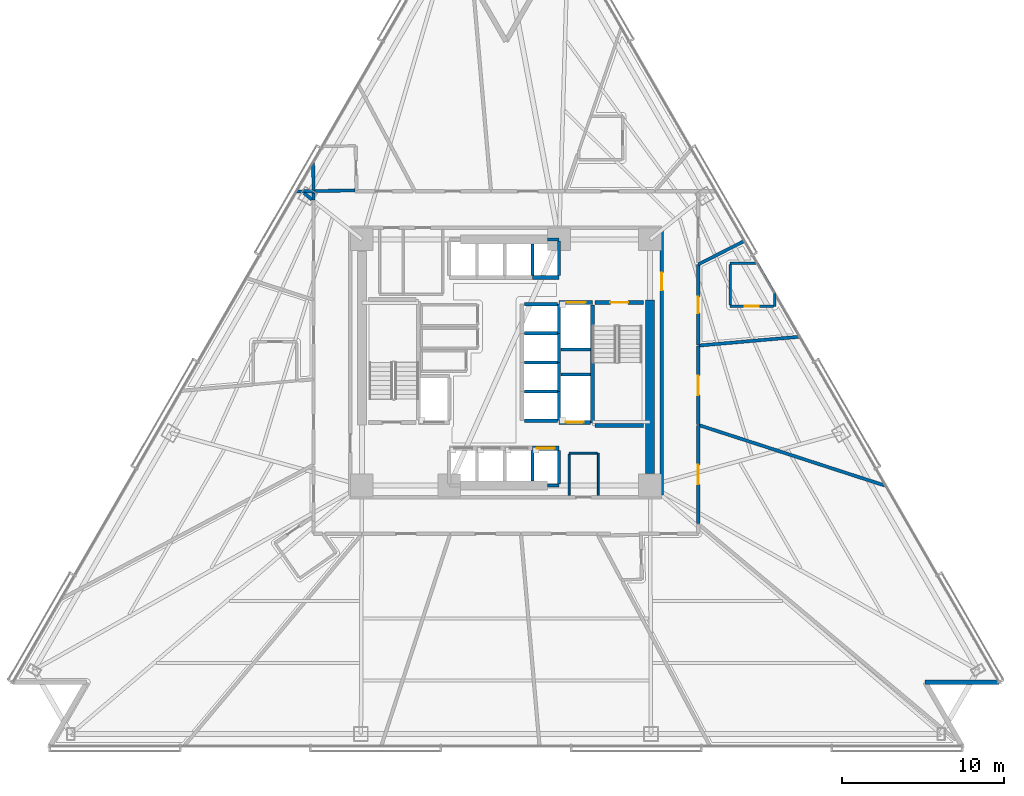
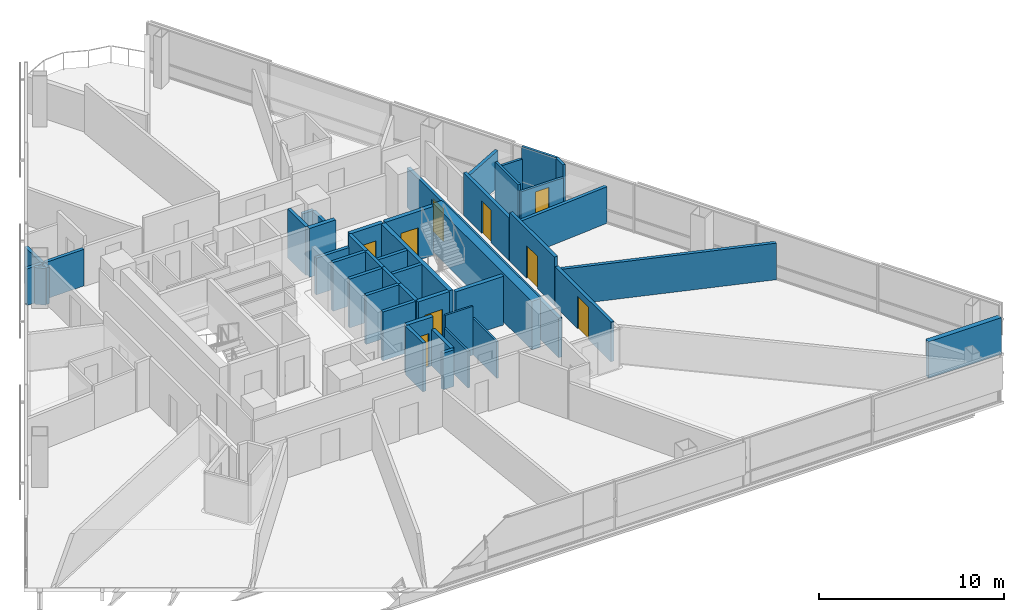
# One storey, part 9 of 18: 45 walls, 9 doors, 9 openings.
"""IFC4 building model written with IfcOpenShell, lengths in metres."""

from ifc_helpers import new_model, si_unit, direction, frame, frame_2d, origin, place, context, subcontext, project, spatial, rectangle, extrude, material, layer, layer_set, type_object, element, fill, save


model = new_model("IFC4")

# Units and contexts
model_context = context("Model", 3, precision=1e-05, world=origin(), true_north=direction((0.0, 1.0)))
body_context = subcontext(model_context, "Body", "Model", "MODEL_VIEW")
ifc_project = project(units=[si_unit("LENGTHUNIT", "METRE"), si_unit("AREAUNIT", "SQUARE_METRE"), si_unit("VOLUMEUNIT", "CUBIC_METRE"), si_unit("PLANEANGLEUNIT", "RADIAN"), si_unit("MASSUNIT", "GRAM", prefix="KILO")], contexts=[model_context])

# Site, building, storey
site_placement = place(None, origin())
site = spatial("IfcSite", under=ifc_project, at=site_placement, CompositionType="ELEMENT")
building_placement = place(site_placement, origin())
building = spatial("IfcBuilding", under=site, at=building_placement, Name="Tharavind Bronze Gate", CompositionType="ELEMENT")
storey_placement = place(building_placement, frame((0.0, 0.0, 38.64990234375)))
storey = spatial("IfcBuildingStorey", under=building, at=storey_placement, Name="L08", CompositionType="ELEMENT", Elevation=38.64990234375)

# Wall
ifc_material_1 = material(Name="Concrete C40/50", Category="concrete")
ifc_layer_1 = layer(ifc_material_1, 0.300048828125)
ifc_layer_set_1 = layer_set([ifc_layer_1], Name="Concrete C40/50")
wall_type_1 = type_object("IfcWallType", Name="EXTERIOR SPANDREL WALL 300", PredefinedType="STANDARD", material=ifc_layer_set_1)
wall_1_placement = place(storey_placement, frame((25.895751953125, -19.7509765625, 0.0), z_axis=(0.0, 0.0, 1.0), x_axis=(1.0, 0.0, 0.0)))
element("IfcWall", 1, at=wall_1_placement, inside=storey, type_object=wall_type_1, Name="L08 notch cheek wall 3B", PredefinedType="STANDARD", context=body_context, shape_type="SweptSolid", body=[
    extrude(rectangle(XDim=4.56005859375, YDim=0.300048828125, at=frame_2d((2.280029296875, 0.0))), origin(), (0.0, 0.0, 1.0), 2.420166015625),
])

# Wall, opening, door
ifc_material_2 = material(Name="Aerated Concrete Block", Category="concrete")
ifc_layer_2 = layer(ifc_material_2, 0.199951171875)
ifc_layer_set_2 = layer_set([ifc_layer_2], Name="Aerated Concrete Block")
wall_type_2 = type_object("IfcWallType", Name="FIRE RATED PARTITION 200", PredefinedType="PARTITIONING", material=ifc_layer_set_2)
wall_2_placement = place(storey_placement, frame((9.6201171875, -8.199951171875, 0.0), z_axis=(0.0, 0.0, 1.0), x_axis=(0.0, 1.0, 0.0)))
wall_2 = element("IfcWall", 2, at=wall_2_placement, inside=storey, type_object=wall_type_2, Name="L08 east core corridor wall", PredefinedType="PARTITIONING", context=body_context, shape_type="SweptSolid", body=[
    extrude(rectangle(XDim=16.39990234375, YDim=0.199951171875, at=frame_2d((8.199951171875, 0.0))), origin(), (0.0, 0.0, 1.0), 2.6201171875),
])
opening_1_placement = place(wall_2_placement, frame((12.64990234375, 0.0, 0.0)))
opening_1 = element("IfcOpeningElement", 3, at=opening_1_placement, cuts=wall_2, Name="Opening ID01", PredefinedType="OPENING", context=body_context, shape_type="SweptSolid", body=[
    extrude(rectangle(XDim=1.10009765625, YDim=2.14990234375, at=frame_2d((0.550048828125, 1.074951171875))), frame((0.0, 0.11009765625, 0.0), z_axis=(0.0, -1.0, 0.0), x_axis=(1.0, 0.0, 0.0)), (0.0, 0.0, 1.0), 0.219951171875),
])
ifc_material_3 = material(Name="Fire-Rated Steel", Category="steel")
door_type_1 = type_object("IfcDoorType", Name="STAIR CORE FIRE DOOR 1100X2150", OperationType="SINGLE_SWING_LEFT", PredefinedType="DOOR", material=ifc_material_3)
door_1_placement = place(opening_1_placement, frame((1.10009765625, 0.0, 0.0), z_axis=(0.0, 0.0, 1.0), x_axis=(-1.0, 0.0, 0.0)))
door_1 = element("IfcDoor", 4, at=door_1_placement, inside=storey, type_object=door_type_1, Name="L08 north east stair lobby fire door", OperationType="SINGLE_SWING_LEFT", OverallHeight=2.14990234375, OverallWidth=1.10009765625, PredefinedType="DOOR", context=body_context, shape_type="SweptSolid", body=[
    extrude(rectangle(XDim=1.10009765625, YDim=2.14990234375, at=frame_2d((0.550048828125, 1.074951171875))), frame((0.0, 0.02490234375, 0.0), z_axis=(0.0, -1.0, 0.0), x_axis=(1.0, 0.0, 0.0)), (0.0, 0.0, 1.0), 0.050048828125),
])
fill(opening_1, door_1)

# Walls
wall_3_placement = place(storey_placement, frame((-11.8798828125, 10.580078125, 0.0), z_axis=(0.0, 0.0, 1.0), x_axis=(-0.019437728898, 0.9998110695, 0.0)))
element("IfcWall", 5, at=wall_3_placement, inside=storey, type_object=wall_type_2, Name="L08 En-Suite Bathroom partition", PredefinedType="PARTITIONING", context=body_context, shape_type="SweptSolid", body=[
    extrude(rectangle(XDim=1.783447265625, YDim=0.199951171875, at=frame_2d((0.8916015625, 0.0))), origin(), (0.0, 0.0, 1.0), 2.420166015625),
])
wall_4_placement = place(storey_placement, frame((-9.33544921875, 10.62939453125, 0.0), z_axis=(0.0, 0.0, 1.0), x_axis=(-0.999811508702, -0.019415124705, 0.0)))
element("IfcWall", 6, at=wall_4_placement, inside=storey, type_object=wall_type_2, Name="L08 En-Suite Bathroom partition", PredefinedType="PARTITIONING", context=body_context, shape_type="SweptSolid", body=[
    extrude(rectangle(XDim=3.62158203125, YDim=0.199951171875, at=frame_2d((1.810791015625, 0.0))), origin(), (0.0, 0.0, 1.0), 2.420166015625),
])
wall_5_placement = place(storey_placement, frame((18.136474609375, 1.586669921875, 0.0), z_axis=(0.0, 0.0, 1.0), x_axis=(-0.99619562433, -0.087145155144, 0.0)))
element("IfcWall", 7, at=wall_5_placement, inside=storey, type_object=wall_type_2, Name="L08 Hotel Guest Room partition", PredefinedType="PARTITIONING", context=body_context, shape_type="SweptSolid", body=[
    extrude(rectangle(XDim=6.2529296875, YDim=0.199951171875, at=frame_2d((3.12646484375, 0.0))), origin(), (0.0, 0.0, 1.0), 2.420166015625),
])

# Wall, opening, door
wall_6_placement = place(storey_placement, frame((11.8798828125, 1.066650390625, 0.0), z_axis=(0.0, 0.0, 1.0), x_axis=(0.0, 1.0, 0.0)))
wall_6 = element("IfcWall", 8, at=wall_6_placement, inside=storey, type_object=wall_type_2, Name="L08 Hotel Guest Room partition", PredefinedType="PARTITIONING", context=body_context, shape_type="SweptSolid", body=[
    extrude(rectangle(XDim=4.97119140625, YDim=0.199951171875, at=frame_2d((2.485595703125, 0.0))), origin(), (0.0, 0.0, 1.0), 2.820068359375),
])
opening_2_placement = place(wall_6_placement, frame((1.986083984375, 0.0, 0.0)))
opening_2 = element("IfcOpeningElement", 9, at=opening_2_placement, cuts=wall_6, Name="Opening ID03", PredefinedType="OPENING", context=body_context, shape_type="SweptSolid", body=[
    extrude(rectangle(XDim=1.0, YDim=2.14990234375, at=frame_2d((0.5, 1.074951171875))), frame((0.0, 0.11009765625, 0.0), z_axis=(0.0, -1.0, 0.0), x_axis=(1.0, 0.0, 0.0)), (0.0, 0.0, 1.0), 0.219951171875),
])
ifc_material_4 = material(Name="Solid Timber Veneer", Category="wood")
door_type_2 = type_object("IfcDoorType", Name="HOTEL SUITE ENTRANCE DOOR 1000X2150", OperationType="SINGLE_SWING_LEFT", PredefinedType="DOOR", material=ifc_material_4)
door_2_placement = place(opening_2_placement, origin())
door_2 = element("IfcDoor", 10, at=door_2_placement, inside=storey, type_object=door_type_2, Name="L08 Hotel Guest Room door", OperationType="SINGLE_SWING_LEFT", OverallHeight=2.14990234375, OverallWidth=1.0, PredefinedType="DOOR", context=body_context, shape_type="SweptSolid", body=[
    extrude(rectangle(XDim=1.0, YDim=2.14990234375, at=frame_2d((0.5, 1.074951171875))), frame((0.0, 0.02490234375, 0.0), z_axis=(0.0, -1.0, 0.0), x_axis=(1.0, 0.0, 0.0)), (0.0, 0.0, 1.0), 0.050048828125),
])
fill(opening_2, door_2)

# Walls
wall_7_placement = place(storey_placement, frame((11.893798828125, 6.06005859375, 0.0), z_axis=(0.0, 0.0, 1.0), x_axis=(0.89097561597, 0.454051155429, 0.0)))
element("IfcWall", 11, at=wall_7_placement, inside=storey, type_object=wall_type_2, Name="L08 Hotel Guest Room partition", PredefinedType="PARTITIONING", context=body_context, shape_type="SweptSolid", body=[
    extrude(rectangle(XDim=3.150390625, YDim=0.199951171875, at=frame_2d((1.5751953125, 0.0))), origin(), (0.0, 0.0, 1.0), 2.420166015625),
])
wall_8_placement = place(storey_placement, frame((-11.8798828125, 10.474853515625, 0.0), z_axis=(0.0, 0.0, 1.0), x_axis=(0.0, -1.0, 0.0)))
element("IfcWall", 12, at=wall_8_placement, inside=storey, type_object=wall_type_2, Name="L08 Hotel Guest Room partition", PredefinedType="PARTITIONING", context=body_context, shape_type="SweptSolid", body=[
    extrude(rectangle(XDim=0.45263671875, YDim=0.199951171875, at=frame_2d((0.226318359375, 0.0))), origin(), (0.0, 0.0, 1.0), 2.420166015625),
])
wall_9_placement = place(storey_placement, frame((-11.985107421875, 10.056640625, 0.0), z_axis=(0.0, 0.0, 1.0), x_axis=(-0.76613026962, 0.642685311776, 0.0)))
element("IfcWall", 13, at=wall_9_placement, inside=storey, type_object=wall_type_2, Name="L08 Hotel Guest Room partition", PredefinedType="PARTITIONING", context=body_context, shape_type="SweptSolid", body=[
    extrude(rectangle(XDim=0.6328125, YDim=0.199951171875, at=frame_2d((0.31640625, 0.0))), origin(), (0.0, 0.0, 1.0), 2.420166015625),
])

# Wall, opening, door
wall_10_placement = place(storey_placement, frame((11.8798828125, -9.956787109375, 0.0), z_axis=(0.0, 0.0, 1.0), x_axis=(0.0, 1.0, 0.0)))
wall_10 = element("IfcWall", 14, at=wall_10_placement, inside=storey, type_object=wall_type_2, Name="L08 Hotel Guest Lounge partition", PredefinedType="PARTITIONING", context=body_context, shape_type="SweptSolid", body=[
    extrude(rectangle(XDim=6.062255859375, YDim=0.199951171875, at=frame_2d((3.03125, 0.0))), origin(), (0.0, 0.0, 1.0), 2.6201171875),
])
opening_3_placement = place(wall_10_placement, frame((2.430908203125, 0.0, 0.0)))
opening_3 = element("IfcOpeningElement", 15, at=opening_3_placement, cuts=wall_10, Name="Opening ID05", PredefinedType="OPENING", context=body_context, shape_type="SweptSolid", body=[
    extrude(rectangle(XDim=1.199951171875, YDim=2.14990234375, at=frame_2d((0.60009765625, 1.074951171875))), frame((0.0, 0.11009765625, 0.0), z_axis=(0.0, -1.0, 0.0), x_axis=(1.0, 0.0, 0.0)), (0.0, 0.0, 1.0), 0.219951171875),
])
ifc_material_5 = material(Name="Acoustic Laminated Glass", Category="glass")
door_type_3 = type_object("IfcDoorType", Name="MEETING ROOM GLAZED DOOR 1200X2150", OperationType="SINGLE_SWING_LEFT", PredefinedType="DOOR", material=ifc_material_5)
door_3_placement = place(opening_3_placement, origin())
door_3 = element("IfcDoor", 16, at=door_3_placement, inside=storey, type_object=door_type_3, Name="L08 Hotel Guest Lounge door", OperationType="SINGLE_SWING_LEFT", OverallHeight=2.14990234375, OverallWidth=1.199951171875, PredefinedType="DOOR", context=body_context, shape_type="SweptSolid", body=[
    extrude(rectangle(XDim=1.199951171875, YDim=2.14990234375, at=frame_2d((0.60009765625, 1.074951171875))), frame((0.0, 0.02490234375, 0.0), z_axis=(0.0, -1.0, 0.0), x_axis=(1.0, 0.0, 0.0)), (0.0, 0.0, 1.0), 0.050048828125),
])
fill(opening_3, door_3)

# Wall
wall_11_placement = place(storey_placement, frame((11.91259765625, -3.87060546875, 0.0), z_axis=(0.0, 0.0, 1.0), x_axis=(0.95105241731, -0.30902960947, 0.0)))
element("IfcWall", 17, at=wall_11_placement, inside=storey, type_object=wall_type_2, Name="L08 Hotel Guest Lounge partition", PredefinedType="PARTITIONING", context=body_context, shape_type="SweptSolid", body=[
    extrude(rectangle(XDim=12.123779296875, YDim=0.199951171875, at=frame_2d((6.06201171875, 0.0))), origin(), (0.0, 0.0, 1.0), 2.420166015625),
])

# Wall, opening, door
wall_12_placement = place(storey_placement, frame((11.8798828125, -3.841796875, 0.0), z_axis=(0.0, 0.0, 1.0), x_axis=(0.0, 1.0, 0.0)))
wall_12 = element("IfcWall", 18, at=wall_12_placement, inside=storey, type_object=wall_type_2, Name="L08 Hotel Guest Lounge partition", PredefinedType="PARTITIONING", context=body_context, shape_type="SweptSolid", body=[
    extrude(rectangle(XDim=4.8583984375, YDim=0.199951171875, at=frame_2d((2.42919921875, 0.0))), origin(), (0.0, 0.0, 1.0), 3.22509765625),
])
opening_4_placement = place(wall_12_placement, frame((1.8291015625, 0.0, 0.0)))
opening_4 = element("IfcOpeningElement", 19, at=opening_4_placement, cuts=wall_12, Name="Opening ID05", PredefinedType="OPENING", context=body_context, shape_type="SweptSolid", body=[
    extrude(rectangle(XDim=1.199951171875, YDim=2.14990234375, at=frame_2d((0.60009765625, 1.074951171875))), frame((0.0, 0.11009765625, 0.0), z_axis=(0.0, -1.0, 0.0), x_axis=(1.0, 0.0, 0.0)), (0.0, 0.0, 1.0), 0.219951171875),
])
door_4_placement = place(opening_4_placement, origin())
door_4 = element("IfcDoor", 20, at=door_4_placement, inside=storey, type_object=door_type_3, Name="L08 Hotel Guest Lounge door", OperationType="SINGLE_SWING_LEFT", OverallHeight=2.14990234375, OverallWidth=1.199951171875, PredefinedType="DOOR", context=body_context, shape_type="SweptSolid", body=[
    extrude(rectangle(XDim=1.199951171875, YDim=2.14990234375, at=frame_2d((0.60009765625, 1.074951171875))), frame((0.0, 0.02490234375, 0.0), z_axis=(0.0, -1.0, 0.0), x_axis=(1.0, 0.0, 0.0)), (0.0, 0.0, 1.0), 0.050048828125),
])
fill(opening_4, door_4)

# Walls
ifc_material_6 = material(Name="Metal Stud Gypsum Partition", Category="gypsum")
ifc_layer_3 = layer(ifc_material_6, 0.1201171875)
ifc_layer_set_3 = layer_set([ifc_layer_3], Name="Metal Stud Gypsum Partition")
wall_type_3 = type_object("IfcWallType", Name="INTERIOR PARTITION WALL 120", PredefinedType="PARTITIONING", material=ifc_layer_set_3)
wall_13_placement = place(storey_placement, frame((5.699951171875, -8.215087890625, 0.0), z_axis=(0.0, 0.0, 1.0), x_axis=(0.0, 1.0, 0.0)))
element("IfcWall", 21, at=wall_13_placement, inside=storey, type_object=wall_type_3, Name="L08 Janitor Store Cupboard partition 2", PredefinedType="PARTITIONING", context=body_context, shape_type="SweptSolid", body=[
    extrude(rectangle(XDim=2.614990234375, YDim=0.1201171875, at=frame_2d((1.3076171875, 0.0))), origin(), (0.0, 0.0, 1.0), 2.420166015625),
])
wall_14_placement = place(storey_placement, frame((5.635009765625, -5.60009765625, 0.0), z_axis=(0.0, 0.0, 1.0), x_axis=(-1.0, 0.0, 0.0)))
element("IfcWall", 22, at=wall_14_placement, inside=storey, type_object=wall_type_3, Name="L08 Janitor Store Cupboard partition 3", PredefinedType="PARTITIONING", context=body_context, shape_type="SweptSolid", body=[
    extrude(rectangle(XDim=1.735107421875, YDim=0.1201171875, at=frame_2d((0.86767578125, 0.0))), origin(), (0.0, 0.0, 1.0), 3.22509765625),
])
wall_15_placement = place(storey_placement, frame((3.89990234375, -5.6650390625, 0.0), z_axis=(0.0, 0.0, 1.0), x_axis=(0.0, -1.0, 0.0)))
element("IfcWall", 23, at=wall_15_placement, inside=storey, type_object=wall_type_3, Name="L08 Janitor Store Cupboard partition 4", PredefinedType="PARTITIONING", context=body_context, shape_type="SweptSolid", body=[
    extrude(rectangle(XDim=2.550048828125, YDim=0.1201171875, at=frame_2d((1.27490234375, 0.0))), origin(), (0.0, 0.0, 1.0), 2.420166015625),
])
ifc_material_7 = material(Name="Twin Stud Acoustic Gypsum", Category="gypsum")
ifc_layer_4 = layer(ifc_material_7, 0.14990234375)
ifc_layer_set_4 = layer_set([ifc_layer_4], Name="Twin Stud Acoustic Gypsum")
wall_type_4 = type_object("IfcWallType", Name="INTERIOR PARTITION WALL 150", PredefinedType="PARTITIONING", material=ifc_layer_set_4)
wall_16_placement = place(storey_placement, frame((13.85009765625, 6.1142578125, 0.0), z_axis=(0.0, 0.0, 1.0), x_axis=(1.0, 0.0, 0.0)))
element("IfcWall", 24, at=wall_16_placement, inside=storey, type_object=wall_type_4, Name="L08 En-Suite Bathroom partition", PredefinedType="PARTITIONING", context=body_context, shape_type="SweptSolid", body=[
    extrude(rectangle(XDim=1.67236328125, YDim=0.14990234375, at=frame_2d((0.836181640625, 0.0))), origin(), (0.0, 0.0, 1.0), 2.420166015625),
])
wall_17_placement = place(storey_placement, frame((15.5224609375, 6.1142578125, 0.0), z_axis=(0.0, 0.0, 1.0), x_axis=(0.500062410969, -0.865989367796, 0.0)))
element("IfcWall", 25, at=wall_17_placement, inside=storey, type_object=wall_type_4, Name="L08 En-Suite Bathroom partition", PredefinedType="PARTITIONING", context=body_context, shape_type="SweptSolid", body=[
    extrude(rectangle(XDim=2.155029296875, YDim=0.14990234375, at=frame_2d((1.07763671875, 0.0))), origin(), (0.0, 0.0, 1.0), 3.22509765625),
])
wall_18_placement = place(storey_placement, frame((16.60009765625, 4.248046875, 0.0), z_axis=(0.0, 0.0, 1.0), x_axis=(0.0, -1.0, 0.0)))
element("IfcWall", 26, at=wall_18_placement, inside=storey, type_object=wall_type_4, Name="L08 En-Suite Bathroom partition", PredefinedType="PARTITIONING", context=body_context, shape_type="SweptSolid", body=[
    extrude(rectangle(XDim=0.78369140625, YDim=0.14990234375, at=frame_2d((0.391845703125, 0.0))), origin(), (0.0, 0.0, 1.0), 3.22509765625),
])

# Wall, opening, door
wall_19_placement = place(storey_placement, frame((16.52001953125, 3.46435546875, 0.0), z_axis=(0.0, 0.0, 1.0), x_axis=(-1.0, 0.0, 0.0)))
wall_19 = element("IfcWall", 27, at=wall_19_placement, inside=storey, type_object=wall_type_4, Name="L08 En-Suite Bathroom partition", PredefinedType="PARTITIONING", context=body_context, shape_type="SweptSolid", body=[
    extrude(rectangle(XDim=2.669921875, YDim=0.14990234375, at=frame_2d((1.3349609375, 0.0))), origin(), (0.0, 0.0, 1.0), 2.420166015625),
])
opening_5_placement = place(wall_19_placement, frame((0.909912109375, 0.0, 0.0)))
opening_5 = element("IfcOpeningElement", 28, at=opening_5_placement, cuts=wall_19, Name="Opening ID06", PredefinedType="OPENING", context=body_context, shape_type="SweptSolid", body=[
    extrude(rectangle(XDim=0.85009765625, YDim=2.10009765625, at=frame_2d((0.425048828125, 1.050048828125))), frame((0.0, 0.084951171875, 0.0), z_axis=(0.0, -1.0, 0.0), x_axis=(1.0, 0.0, 0.0)), (0.0, 0.0, 1.0), 0.16990234375),
])
ifc_material_8 = material(Name="Moisture-Resistant Timber", Category="wood")
door_type_4 = type_object("IfcDoorType", Name="BATHROOM PRIVACY DOOR 850X2100", OperationType="SINGLE_SWING_RIGHT", PredefinedType="DOOR", material=ifc_material_8)
door_5_placement = place(opening_5_placement, origin())
door_5 = element("IfcDoor", 29, at=door_5_placement, inside=storey, type_object=door_type_4, Name="L08 En-Suite Bathroom door", OperationType="SINGLE_SWING_RIGHT", OverallHeight=2.10009765625, OverallWidth=0.85009765625, PredefinedType="DOOR", context=body_context, shape_type="SweptSolid", body=[
    extrude(rectangle(XDim=0.85009765625, YDim=2.10009765625, at=frame_2d((0.425048828125, 1.050048828125))), frame((0.0, 0.02490234375, 0.0), z_axis=(0.0, -1.0, 0.0), x_axis=(1.0, 0.0, 0.0)), (0.0, 0.0, 1.0), 0.050048828125),
])
fill(opening_5, door_5)

# Walls
wall_20_placement = place(storey_placement, frame((13.85009765625, 3.544189453125, 0.0), z_axis=(0.0, 0.0, 1.0), x_axis=(0.0, 1.0, 0.0)))
element("IfcWall", 30, at=wall_20_placement, inside=storey, type_object=wall_type_4, Name="L08 En-Suite Bathroom partition", PredefinedType="PARTITIONING", context=body_context, shape_type="SweptSolid", body=[
    extrude(rectangle(XDim=2.489990234375, YDim=0.14990234375, at=frame_2d((1.2451171875, 0.0))), origin(), (0.0, 0.0, 1.0), 2.820068359375),
])
ifc_material_9 = material(Name="Concrete C50/60", Category="concrete")
ifc_layer_5 = layer(ifc_material_9, 0.25)
ifc_layer_set_5 = layer_set([ifc_layer_5], Name="Concrete C50/60")
wall_type_5 = type_object("IfcWallType", Name="RC CORE SHEAR WALL 250", PredefinedType="SHEAR", material=ifc_layer_set_5)
wall_21_placement = place(storey_placement, frame((5.35009765625, -3.75, 0.0), z_axis=(0.0, 0.0, 1.0), x_axis=(0.0, 1.0, 0.0)))
element("IfcWall", 31, at=wall_21_placement, inside=storey, type_object=wall_type_5, Name="L08 ST2 shaft west wall", PredefinedType="SHEAR", context=body_context, shape_type="SweptSolid", body=[
    extrude(rectangle(XDim=7.300048828125, YDim=0.25, at=frame_2d((3.64990234375, 0.0))), origin(), (0.0, 0.0, 1.0), 3.22509765625),
])

# Wall, opening, door
wall_22_placement = place(storey_placement, frame((5.5, 3.699951171875, 0.0), z_axis=(0.0, 0.0, 1.0), x_axis=(1.0, 0.0, 0.0)))
wall_22 = element("IfcWall", 32, at=wall_22_placement, inside=storey, type_object=wall_type_5, Name="L08 ST2 shaft north wall", PredefinedType="SHEAR", context=body_context, shape_type="SweptSolid", body=[
    extrude(rectangle(XDim=3.0, YDim=0.25, at=frame_2d((1.5, 0.0))), origin(), (0.0, 0.0, 1.0), 3.22509765625),
])
opening_6_placement = place(wall_22_placement, frame((0.949951171875, 0.0, 0.0)))
opening_6 = element("IfcOpeningElement", 33, at=opening_6_placement, cuts=wall_22, Name="Opening ID01", PredefinedType="OPENING", context=body_context, shape_type="SweptSolid", body=[
    extrude(rectangle(XDim=1.10009765625, YDim=2.14990234375, at=frame_2d((0.550048828125, 1.074951171875))), frame((0.0, 0.135, 0.0), z_axis=(0.0, -1.0, 0.0), x_axis=(1.0, 0.0, 0.0)), (0.0, 0.0, 1.0), 0.27),
])
door_6_placement = place(opening_6_placement, frame((1.10009765625, 0.0, 0.0), z_axis=(0.0, 0.0, 1.0), x_axis=(-1.0, 0.0, 0.0)))
door_6 = element("IfcDoor", 34, at=door_6_placement, inside=storey, type_object=door_type_1, Name="L08 exit stair ST2 fire door", OperationType="SINGLE_SWING_LEFT", OverallHeight=2.14990234375, OverallWidth=1.10009765625, PredefinedType="DOOR", context=body_context, shape_type="SweptSolid", body=[
    extrude(rectangle(XDim=1.10009765625, YDim=2.14990234375, at=frame_2d((0.550048828125, 1.074951171875))), frame((0.0, 0.02490234375, 0.0), z_axis=(0.0, -1.0, 0.0), x_axis=(1.0, 0.0, 0.0)), (0.0, 0.0, 1.0), 0.050048828125),
])
fill(opening_6, door_6)

# Wall
wall_23_placement = place(storey_placement, frame((5.5, -3.89990234375, 0.0), z_axis=(0.0, 0.0, 1.0), x_axis=(1.0, 0.0, 0.0)))
element("IfcWall", 35, at=wall_23_placement, inside=storey, type_object=wall_type_5, Name="L08 ST2 shaft south wall", PredefinedType="SHEAR", context=body_context, shape_type="SweptSolid", body=[
    extrude(rectangle(XDim=3.0, YDim=0.25, at=frame_2d((1.5, 0.0))), origin(), (0.0, 0.0, 1.0), 3.22509765625),
])

# Wall, opening, door
wall_24_placement = place(storey_placement, frame((1.637451171875, -5.300048828125, 0.0), z_axis=(0.0, 0.0, 1.0), x_axis=(1.0, 0.0, 0.0)))
wall_24 = element("IfcWall", 36, at=wall_24_placement, inside=storey, type_object=wall_type_5, Name="L08 lift PL4 shaft front wall", PredefinedType="SHEAR", context=body_context, shape_type="SweptSolid", body=[
    extrude(rectangle(XDim=1.642578125, YDim=0.25, at=frame_2d((0.8212890625, 0.0))), origin(), (0.0, 0.0, 1.0), 3.22509765625),
])
opening_7_placement = place(wall_24_placement, frame((0.27099609375, 0.0, 0.0)))
opening_7 = element("IfcOpeningElement", 37, at=opening_7_placement, cuts=wall_24, Name="Opening LD01", PredefinedType="OPENING", context=body_context, shape_type="SweptSolid", body=[
    extrude(rectangle(XDim=1.10009765625, YDim=2.199951171875, at=frame_2d((0.550048828125, 1.10009765625))), frame((0.0, 0.135, 0.0), z_axis=(0.0, -1.0, 0.0), x_axis=(1.0, 0.0, 0.0)), (0.0, 0.0, 1.0), 0.27),
])
ifc_material_10 = material(Name="Brushed Bronze Stainless Steel", Category="steel")
door_type_5 = type_object("IfcDoorType", Name="LIFT LANDING SLIDING DOOR 1100X2200", OperationType="SLIDING_TO_LEFT", PredefinedType="DOOR", material=ifc_material_10)
door_7_placement = place(opening_7_placement, origin())
door_7 = element("IfcDoor", 38, at=door_7_placement, inside=storey, type_object=door_type_5, Name="L08 lift PL4 sliding landing door", OperationType="SLIDING_TO_LEFT", OverallHeight=2.199951171875, OverallWidth=1.10009765625, PredefinedType="DOOR", context=body_context, shape_type="SweptSolid", body=[
    extrude(rectangle(XDim=1.10009765625, YDim=2.199951171875, at=frame_2d((0.550048828125, 1.10009765625))), frame((0.0, 0.02490234375, 0.0), z_axis=(0.0, -1.0, 0.0), x_axis=(1.0, 0.0, 0.0)), (0.0, 0.0, 1.0), 0.050048828125),
])
fill(opening_7, door_7)

# Wall
wall_25_placement = place(storey_placement, frame((1.637451171875, 5.25, 0.0), z_axis=(0.0, 0.0, 1.0), x_axis=(1.0, 0.0, 0.0)))
element("IfcWall", 39, at=wall_25_placement, inside=storey, type_object=wall_type_5, Name="L08 lift PL8 shaft front wall", PredefinedType="SHEAR", context=body_context, shape_type="SweptSolid", body=[
    extrude(rectangle(XDim=1.642578125, YDim=0.25, at=frame_2d((0.8212890625, 0.0))), origin(), (0.0, 0.0, 1.0), 3.22509765625),
])

# Wall, opening, door
wall_26_placement = place(storey_placement, frame((3.280029296875, 3.699951171875, 0.0), z_axis=(0.0, 0.0, 1.0), x_axis=(1.0, 0.0, 0.0)))
wall_26 = element("IfcWall", 40, at=wall_26_placement, inside=storey, type_object=wall_type_5, Name="L08 lift FFL2 shaft front wall", PredefinedType="SHEAR", context=body_context, shape_type="SweptSolid", body=[
    extrude(rectangle(XDim=2.070068359375, YDim=0.25, at=frame_2d((1.03515625, 0.0))), origin(), (0.0, 0.0, 1.0), 3.22509765625),
])
opening_8_placement = place(wall_26_placement, frame((0.43505859375, 0.0, 0.0)))
opening_8 = element("IfcOpeningElement", 41, at=opening_8_placement, cuts=wall_26, Name="Opening LD02", PredefinedType="OPENING", context=body_context, shape_type="SweptSolid", body=[
    extrude(rectangle(XDim=1.199951171875, YDim=2.199951171875, at=frame_2d((0.60009765625, 1.10009765625))), frame((0.0, 0.135, 0.0), z_axis=(0.0, -1.0, 0.0), x_axis=(1.0, 0.0, 0.0)), (0.0, 0.0, 1.0), 0.27),
])
ifc_material_11 = material(Name="Brushed Stainless Steel", Category="steel")
door_type_6 = type_object("IfcDoorType", Name="FIREFIGHTING LIFT LANDING DOOR 1200X2200", OperationType="SLIDING_TO_RIGHT", PredefinedType="DOOR", material=ifc_material_11)
door_8_placement = place(opening_8_placement, origin())
door_8 = element("IfcDoor", 42, at=door_8_placement, inside=storey, type_object=door_type_6, Name="L08 lift FFL2 sliding landing door", OperationType="SLIDING_TO_RIGHT", OverallHeight=2.199951171875, OverallWidth=1.199951171875, PredefinedType="DOOR", context=body_context, shape_type="SweptSolid", body=[
    extrude(rectangle(XDim=1.199951171875, YDim=2.199951171875, at=frame_2d((0.60009765625, 1.10009765625))), frame((0.0, 0.02490234375, 0.0), z_axis=(0.0, -1.0, 0.0), x_axis=(1.0, 0.0, 0.0)), (0.0, 0.0, 1.0), 0.050048828125),
])
fill(opening_8, door_8)

wall_27_placement = place(storey_placement, frame((3.280029296875, -3.699951171875, 0.0), z_axis=(0.0, 0.0, 1.0), x_axis=(1.0, 0.0, 0.0)))
wall_27 = element("IfcWall", 43, at=wall_27_placement, inside=storey, type_object=wall_type_5, Name="L08 lift SVL1 shaft front wall", PredefinedType="SHEAR", context=body_context, shape_type="SweptSolid", body=[
    extrude(rectangle(XDim=1.93994140625, YDim=0.25, at=frame_2d((0.969970703125, 0.0))), origin(), (0.0, 0.0, 1.0), 3.22509765625),
])
opening_9_placement = place(wall_27_placement, frame((0.419921875, 0.0, 0.0)))
opening_9 = element("IfcOpeningElement", 44, at=opening_9_placement, cuts=wall_27, Name="Opening LD01", PredefinedType="OPENING", context=body_context, shape_type="SweptSolid", body=[
    extrude(rectangle(XDim=1.10009765625, YDim=2.199951171875, at=frame_2d((0.550048828125, 1.10009765625))), frame((0.0, 0.135, 0.0), z_axis=(0.0, -1.0, 0.0), x_axis=(1.0, 0.0, 0.0)), (0.0, 0.0, 1.0), 0.27),
])
door_9_placement = place(opening_9_placement, origin())
door_9 = element("IfcDoor", 45, at=door_9_placement, inside=storey, type_object=door_type_5, Name="L08 lift SVL1 sliding landing door", OperationType="SLIDING_TO_LEFT", OverallHeight=2.199951171875, OverallWidth=1.10009765625, PredefinedType="DOOR", context=body_context, shape_type="SweptSolid", body=[
    extrude(rectangle(XDim=1.10009765625, YDim=2.199951171875, at=frame_2d((0.550048828125, 1.10009765625))), frame((0.0, 0.02490234375, 0.0), z_axis=(0.0, -1.0, 0.0), x_axis=(1.0, 0.0, 0.0)), (0.0, 0.0, 1.0), 0.050048828125),
])
fill(opening_9, door_9)

# Walls
ifc_material_12 = material(Name="Concrete C60/75", Category="concrete")
ifc_layer_6 = layer(ifc_material_12, 0.550048828125)
ifc_layer_set_6 = layer_set([ifc_layer_6], Name="Concrete C60/75")
wall_type_6 = type_object("IfcWallType", Name="RC CORE SHEAR WALL 550", PredefinedType="SHEAR", material=ifc_layer_set_6)
wall_28_placement = place(storey_placement, frame((8.89990234375, -6.85009765625, 0.0), z_axis=(0.0, 0.0, 1.0), x_axis=(0.0, 1.0, 0.0)))
element("IfcWall", 46, at=wall_28_placement, inside=storey, type_object=wall_type_6, Name="L08 east core shear wall", PredefinedType="SHEAR", context=body_context, shape_type="SweptSolid", body=[
    extrude(rectangle(XDim=10.7001953125, YDim=0.550048828125, at=frame_2d((5.35009765625, 0.0))), origin(), (0.0, 0.0, 1.0), 3.22509765625),
])
ifc_layer_7 = layer(ifc_material_1, 0.199951171875)
ifc_layer_set_7 = layer_set([ifc_layer_7], Name="Concrete C40/50")
wall_type_7 = type_object("IfcWallType", Name="SHAFT ENCLOSURE WALL 200", PredefinedType="PARTITIONING", material=ifc_layer_set_7)
wall_29_placement = place(storey_placement, frame((1.637451171875, -7.320068359375, 0.0), z_axis=(0.0, 0.0, 1.0), x_axis=(0.0, 1.0, 0.0)))
element("IfcWall", 47, at=wall_29_placement, inside=storey, type_object=wall_type_7, Name="L08 lift PL3 shaft E enclosure wall", PredefinedType="PARTITIONING", context=body_context, shape_type="SweptSolid", body=[
    extrude(rectangle(XDim=1.89013671875, YDim=0.199951171875, at=frame_2d((0.945068359375, 0.0))), origin(), (0.0, 0.0, 1.0), 3.22509765625),
])
wall_30_placement = place(storey_placement, frame((2.580078125, -7.60009765625, 0.0), z_axis=(0.0, 0.0, 1.0), x_axis=(1.0, 0.0, 0.0)))
element("IfcWall", 48, at=wall_30_placement, inside=storey, type_object=wall_type_7, Name="L08 lift PL4 shaft S enclosure wall", PredefinedType="PARTITIONING", context=body_context, shape_type="SweptSolid", body=[
    extrude(rectangle(XDim=0.699951171875, YDim=0.199951171875, at=frame_2d((0.35009765625, 0.0))), origin(), (0.0, 0.0, 1.0), 2.420166015625),
])
wall_31_placement = place(storey_placement, frame((3.280029296875, -7.4951171875, 0.0), z_axis=(0.0, 0.0, 1.0), x_axis=(0.0, 1.0, 0.0)))
element("IfcWall", 49, at=wall_31_placement, inside=storey, type_object=wall_type_7, Name="L08 lift PL4 shaft E enclosure wall", PredefinedType="PARTITIONING", context=body_context, shape_type="SweptSolid", body=[
    extrude(rectangle(XDim=2.065185546875, YDim=0.199951171875, at=frame_2d((1.03271484375, 0.0))), origin(), (0.0, 0.0, 1.0), 2.420166015625),
])
wall_32_placement = place(storey_placement, frame((1.637451171875, 5.3798828125, 0.0), z_axis=(0.0, 0.0, 1.0), x_axis=(0.0, 1.0, 0.0)))
element("IfcWall", 50, at=wall_32_placement, inside=storey, type_object=wall_type_7, Name="L08 lift PL7 shaft E enclosure wall", PredefinedType="PARTITIONING", context=body_context, shape_type="SweptSolid", body=[
    extrude(rectangle(XDim=1.940185546875, YDim=0.199951171875, at=frame_2d((0.97021484375, 0.0))), origin(), (0.0, 0.0, 1.0), 3.22509765625),
])
wall_33_placement = place(storey_placement, frame((2.580078125, 7.60009765625, 0.0), z_axis=(0.0, 0.0, 1.0), x_axis=(1.0, 0.0, 0.0)))
element("IfcWall", 51, at=wall_33_placement, inside=storey, type_object=wall_type_7, Name="L08 lift PL8 shaft N enclosure wall", PredefinedType="PARTITIONING", context=body_context, shape_type="SweptSolid", body=[
    extrude(rectangle(XDim=0.699951171875, YDim=0.199951171875, at=frame_2d((0.35009765625, 0.0))), origin(), (0.0, 0.0, 1.0), 2.420166015625),
])
wall_34_placement = place(storey_placement, frame((3.280029296875, 5.3798828125, 0.0), z_axis=(0.0, 0.0, 1.0), x_axis=(0.0, 1.0, 0.0)))
element("IfcWall", 52, at=wall_34_placement, inside=storey, type_object=wall_type_7, Name="L08 lift PL8 shaft E enclosure wall", PredefinedType="PARTITIONING", context=body_context, shape_type="SweptSolid", body=[
    extrude(rectangle(XDim=2.115234375, YDim=0.199951171875, at=frame_2d((1.0576171875, 0.0))), origin(), (0.0, 0.0, 1.0), 2.420166015625),
])
wall_35_placement = place(storey_placement, frame((3.280029296875, -3.60009765625, 0.0), z_axis=(0.0, 0.0, 1.0), x_axis=(0.0, 1.0, 0.0)))
element("IfcWall", 53, at=wall_35_placement, inside=storey, type_object=wall_type_7, Name="L08 lift PL9 shaft E enclosure wall", PredefinedType="PARTITIONING", context=body_context, shape_type="SweptSolid", body=[
    extrude(rectangle(XDim=1.800048828125, YDim=0.199951171875, at=frame_2d((0.89990234375, 0.0))), origin(), (0.0, 0.0, 1.0), 3.22509765625),
])
for number, where, z_axis, x_axis, name in (
    (54, (1.1298828125, -3.60009765625, 0.0), (0.0, 0.0, 1.0), (1.0, 0.0, 0.0), "L08 lift PL9 shaft S enclosure wall"),
    (55, (1.1298828125, -1.800048828125, 0.0), (0.0, 0.0, 1.0), (1.0, 0.0, 0.0), "L08 lift PL9 shaft N enclosure wall"),
):
    element("IfcWall", number, at=place(storey_placement, frame(where, z_axis=z_axis, x_axis=x_axis)), inside=storey, type_object=wall_type_7, Name=name, PredefinedType="PARTITIONING", context=body_context, shape_type="SweptSolid", body=[
        extrude(rectangle(XDim=2.045166015625, YDim=0.199951171875, at=frame_2d((1.0224609375, 0.0))), origin(), (0.0, 0.0, 1.0), 3.22509765625),
    ])
wall_36_placement = place(storey_placement, frame((3.280029296875, -1.800048828125, 0.0), z_axis=(0.0, 0.0, 1.0), x_axis=(0.0, 1.0, 0.0)))
element("IfcWall", 56, at=wall_36_placement, inside=storey, type_object=wall_type_7, Name="L08 lift PL10 shaft E enclosure wall", PredefinedType="PARTITIONING", context=body_context, shape_type="SweptSolid", body=[
    extrude(rectangle(XDim=1.800048828125, YDim=0.199951171875, at=frame_2d((0.89990234375, 0.0))), origin(), (0.0, 0.0, 1.0), 3.22509765625),
])
wall_37_placement = place(storey_placement, frame((1.1298828125, 0.0, 0.0), z_axis=(0.0, 0.0, 1.0), x_axis=(1.0, 0.0, 0.0)))
element("IfcWall", 57, at=wall_37_placement, inside=storey, type_object=wall_type_7, Name="L08 lift PL10 shaft N enclosure wall", PredefinedType="PARTITIONING", context=body_context, shape_type="SweptSolid", body=[
    extrude(rectangle(XDim=2.045166015625, YDim=0.199951171875, at=frame_2d((1.0224609375, 0.0))), origin(), (0.0, 0.0, 1.0), 3.22509765625),
])
wall_38_placement = place(storey_placement, frame((3.280029296875, 0.0, 0.0), z_axis=(0.0, 0.0, 1.0), x_axis=(0.0, 1.0, 0.0)))
element("IfcWall", 58, at=wall_38_placement, inside=storey, type_object=wall_type_7, Name="L08 lift PL11 shaft E enclosure wall", PredefinedType="PARTITIONING", context=body_context, shape_type="SweptSolid", body=[
    extrude(rectangle(XDim=1.800048828125, YDim=0.199951171875, at=frame_2d((0.89990234375, 0.0))), origin(), (0.0, 0.0, 1.0), 3.22509765625),
])
wall_39_placement = place(storey_placement, frame((1.1298828125, 1.800048828125, 0.0), z_axis=(0.0, 0.0, 1.0), x_axis=(1.0, 0.0, 0.0)))
element("IfcWall", 59, at=wall_39_placement, inside=storey, type_object=wall_type_7, Name="L08 lift PL11 shaft N enclosure wall", PredefinedType="PARTITIONING", context=body_context, shape_type="SweptSolid", body=[
    extrude(rectangle(XDim=2.045166015625, YDim=0.199951171875, at=frame_2d((1.0224609375, 0.0))), origin(), (0.0, 0.0, 1.0), 3.22509765625),
])
wall_40_placement = place(storey_placement, frame((3.280029296875, 1.800048828125, 0.0), z_axis=(0.0, 0.0, 1.0), x_axis=(0.0, 1.0, 0.0)))
element("IfcWall", 60, at=wall_40_placement, inside=storey, type_object=wall_type_7, Name="L08 lift PL12 shaft E enclosure wall", PredefinedType="PARTITIONING", context=body_context, shape_type="SweptSolid", body=[
    extrude(rectangle(XDim=1.800048828125, YDim=0.199951171875, at=frame_2d((0.89990234375, 0.0))), origin(), (0.0, 0.0, 1.0), 3.22509765625),
])
wall_41_placement = place(storey_placement, frame((1.1298828125, 3.60009765625, 0.0), z_axis=(0.0, 0.0, 1.0), x_axis=(1.0, 0.0, 0.0)))
element("IfcWall", 61, at=wall_41_placement, inside=storey, type_object=wall_type_7, Name="L08 lift PL12 shaft N enclosure wall", PredefinedType="PARTITIONING", context=body_context, shape_type="SweptSolid", body=[
    extrude(rectangle(XDim=2.045166015625, YDim=0.199951171875, at=frame_2d((1.0224609375, 0.0))), origin(), (0.0, 0.0, 1.0), 2.420166015625),
])
for number, where, z_axis, x_axis, name in (
    (62, (3.385009765625, 0.800048828125, 0.0), (0.0, 0.0, 1.0), (1.0, 0.0, 0.0), "L08 lift FFL2 shaft S enclosure wall"),
    (63, (3.385009765625, -0.75, 0.0), (0.0, 0.0, 1.0), (1.0, 0.0, 0.0), "L08 lift SVL1 shaft N enclosure wall"),
):
    element("IfcWall", number, at=place(storey_placement, frame(where, z_axis=z_axis, x_axis=x_axis)), inside=storey, type_object=wall_type_7, Name=name, PredefinedType="PARTITIONING", context=body_context, shape_type="SweptSolid", body=[
        extrude(rectangle(XDim=1.8349609375, YDim=0.199951171875, at=frame_2d((0.91748046875, 0.0))), origin(), (0.0, 0.0, 1.0), 3.22509765625),
    ])

save(model, "model.ifc")
